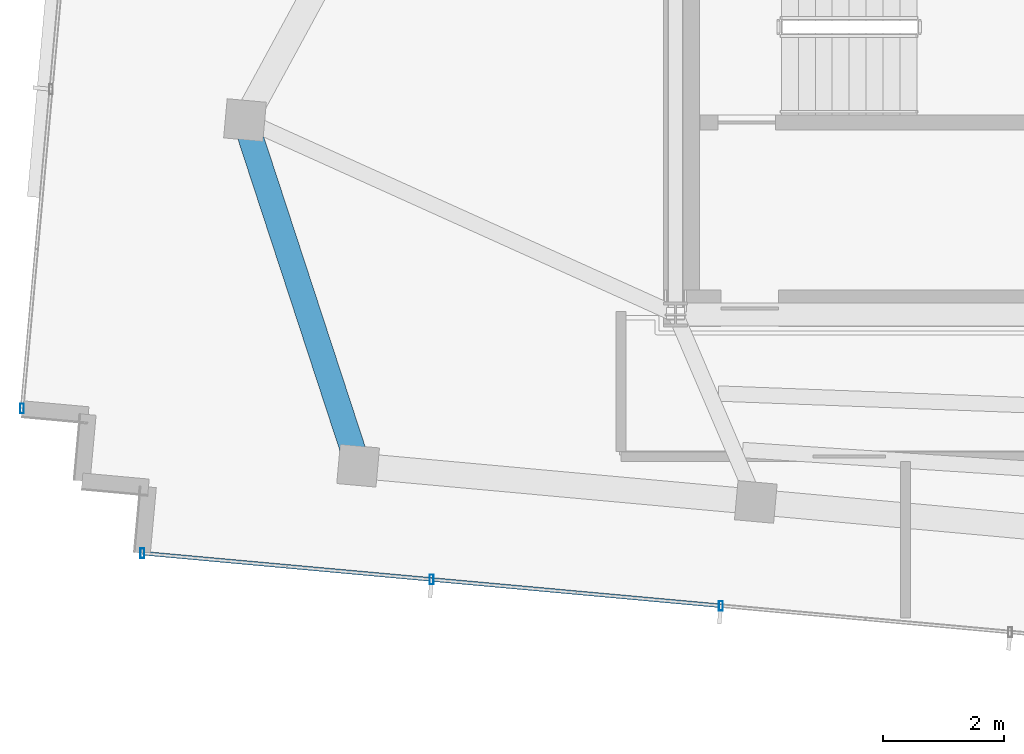
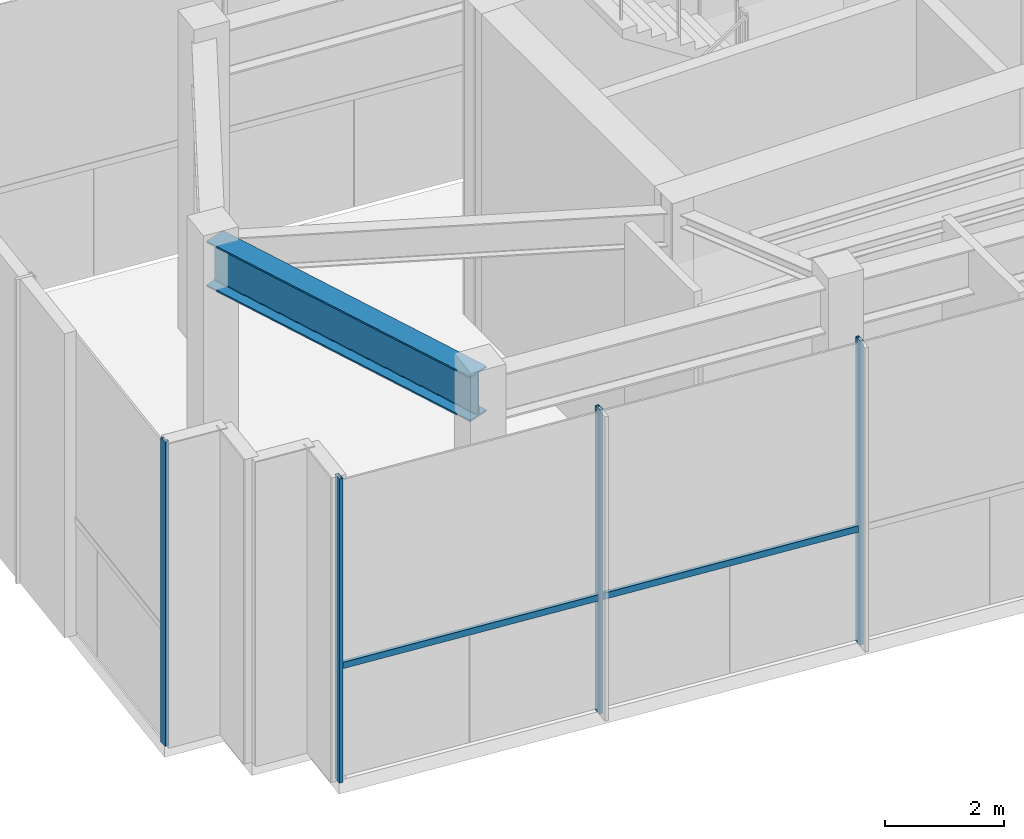
# One storey, part 2 of 19: 6 members, 1 beam, 2 elements without a shape of their own.
"""IFC4 building model written with IfcOpenShell, lengths in metres."""

from ifc_helpers import new_model, si_unit, direction, frame, origin, origin_2d, place, context, subcontext, project, spatial, hollow_rectangle, i_section, extrude, source, transform, mapped, material, material_profile, profile_set, type_object, type_shapes, element, aggregate, save


model = new_model("IFC4")

# Units and contexts
model_context = context("Model", 3, precision=1e-05, world=origin(), true_north=direction((0.0, 1.0)))
body_context = subcontext(model_context, "Body", "Model", "MODEL_VIEW")
ifc_project = project(units=[si_unit("LENGTHUNIT", "METRE"), si_unit("AREAUNIT", "SQUARE_METRE"), si_unit("VOLUMEUNIT", "CUBIC_METRE"), si_unit("PLANEANGLEUNIT", "RADIAN"), si_unit("MASSUNIT", "GRAM", prefix="KILO")], contexts=[model_context])

# Site, building, storey
site_placement = place(None, origin())
site = spatial("IfcSite", under=ifc_project, at=site_placement, CompositionType="ELEMENT")
building_placement = place(site_placement, origin())
building = spatial("IfcBuilding", under=site, at=building_placement, Name="Astriad Promenade Condominiums", CompositionType="ELEMENT")
storey_placement = place(building_placement, frame((0.0, 0.0, 283.800048828125)))
storey = spatial("IfcBuildingStorey", under=building, at=storey_placement, Name="L79", CompositionType="ELEMENT", Elevation=283.800048828125)

# Beam
ifc_material_1 = material(Name="Steel ASTM A992 Grade 50", Category="steel")
ifc_material_profile_1 = material_profile(ifc_material_1, i_section(OverallWidth=0.418212890625, OverallDepth=0.926513671875, WebThickness=0.019287109375, FlangeThickness=0.031982421875, FilletRadius=0.024169921875, at=origin_2d()), Name="W36X231")
ifc_profile_set_1 = profile_set([ifc_material_profile_1], Name="Steel ASTM A992 Grade 50")
beam_type = type_object("IfcBeamType", Name="STEEL CROWN RING BEAM W36X231", PredefinedType="BEAM", material=ifc_profile_set_1)
shared_shape_1 = source(origin(), body_context, "Body", "SweptSolid", [
    extrude(i_section(OverallWidth=0.418212890625, OverallDepth=0.926513671875, WebThickness=0.019287109375, FlangeThickness=0.031982421875, FilletRadius=0.024169921875, at=origin_2d()), origin(), (0.0, 0.0, 1.0), 5.931640625),
])
type_shapes(beam_type, [shared_shape_1])
beam_placement = place(storey_placement, frame((19.29638671875, 20.57421875, 5.756591796875), z_axis=(0.3110863773, -0.950381642215, 0.0), x_axis=(0.950381642215, 0.3110863773, 0.0)))
element("IfcBeam", 1, at=beam_placement, inside=storey, type_object=beam_type, Name="Perimeter Spandrel Beam SP-W1-L79", PredefinedType="BEAM", context=body_context, shape_type="MappedRepresentation", body=[
    mapped(shared_shape_1, transform((0.0, 0.0, 0.0), scale=1.0)),
])

# Curtain wall, member
ifc_material_2 = material(Name="Anodised aluminium Black Dark Glass Unitised", Category="aluminium")
curtain_wall_type = type_object("IfcCurtainWallType", Name="CW-TMD-LANTERN", PredefinedType="USERDEFINED", material=ifc_material_2)
curtain_wall_1_placement = place(storey_placement, origin())
curtain_wall_1 = element("IfcCurtainWall", 2, at=curtain_wall_1_placement, inside=storey, type_object=curtain_wall_type, Name="CW-CRN-L79-03", ObjectType="UNITISED_CURTAIN_WALL", PredefinedType="USERDEFINED")
ifc_material_3 = material(Name="Anodised aluminium 6063-T6 Black", Category="aluminium")
ifc_material_profile_2 = material_profile(ifc_material_3, hollow_rectangle(XDim=0.06494140625, YDim=0.159912109375, WallThickness=0.00390625, at=origin_2d()), Name="ALU-MUL-65X160")
ifc_profile_set_2 = profile_set([ifc_material_profile_2], Name="Anodised aluminium 6063-T6 Black")
member_type_1 = type_object("IfcMemberType", Name="MUL-ALU-MUL-65X160", PredefinedType="MULLION", material=ifc_profile_set_2)
shared_shape_2 = source(origin(), body_context, "Body", "SweptSolid", [
    extrude(hollow_rectangle(XDim=0.06494140625, YDim=0.159912109375, WallThickness=0.00390625, at=origin_2d()), origin(), (0.0, 0.0, 1.0), 6.219970703125),
])
type_shapes(member_type_1, [shared_shape_2])
member_1_placement = place(storey_placement, frame((15.597900390625, 15.84375, 0.0), z_axis=(0.0, 0.0, 1.0), x_axis=(1.0, 0.0, 0.0)))
member_1 = element("IfcMember", 3, at=member_1_placement, type_object=member_type_1, Name="CW-CRN-L79-03-MUL-00", PredefinedType="MULLION", context=body_context, shape_type="MappedRepresentation", body=[
    mapped(shared_shape_2, transform((0.0, 0.0, 0.0), scale=1.0)),
])
aggregate(curtain_wall_1, [member_1])

# Curtain wall, members
curtain_wall_2_placement = place(storey_placement, origin())
curtain_wall_2 = element("IfcCurtainWall", 4, at=curtain_wall_2_placement, inside=storey, type_object=curtain_wall_type, Name="CW-CRN-L79-18", ObjectType="UNITISED_CURTAIN_WALL", PredefinedType="USERDEFINED")
member_2_placement = place(storey_placement, frame((27.14990234375, 12.58349609375, 0.0), z_axis=(0.0, 0.0, 1.0), x_axis=(1.0, 0.0, 0.0)))
member_2 = element("IfcMember", 5, at=member_2_placement, type_object=member_type_1, Name="CW-CRN-L79-18-MUL-05", PredefinedType="MULLION", context=body_context, shape_type="MappedRepresentation", body=[
    mapped(shared_shape_2, transform((0.0, 0.0, 0.0), scale=1.0)),
])
member_3_placement = place(storey_placement, frame((22.36962890625, 13.0185546875, 0.0), z_axis=(0.0, 0.0, 1.0), x_axis=(1.0, 0.0, 0.0)))
member_3 = element("IfcMember", 6, at=member_3_placement, type_object=member_type_1, Name="CW-CRN-L79-18-MUL-06", PredefinedType="MULLION", context=body_context, shape_type="MappedRepresentation", body=[
    mapped(shared_shape_2, transform((0.0, 0.0, 0.0), scale=1.0)),
])
member_4_placement = place(storey_placement, frame((17.58935546875, 13.45361328125, 0.0), z_axis=(0.0, 0.0, 1.0), x_axis=(1.0, 0.0, 0.0)))
member_4 = element("IfcMember", 7, at=member_4_placement, type_object=member_type_1, Name="CW-CRN-L79-18-MUL-07", PredefinedType="MULLION", context=body_context, shape_type="MappedRepresentation", body=[
    mapped(shared_shape_2, transform((0.0, 0.0, 0.0), scale=1.0)),
])
ifc_material_profile_3 = material_profile(ifc_material_3, hollow_rectangle(XDim=0.06494140625, YDim=0.1298828125, WallThickness=0.00390625, at=origin_2d()), Name="ALU-TRN-65X130")
ifc_profile_set_3 = profile_set([ifc_material_profile_3], Name="Anodised aluminium 6063-T6 Black")
member_type_2 = type_object("IfcMemberType", Name="TRN-ALU-TRN-65X130", PredefinedType="USERDEFINED", material=ifc_profile_set_3)
shared_shape_3 = source(origin(), body_context, "Body", "SweptSolid", [
    extrude(hollow_rectangle(XDim=0.06494140625, YDim=0.1298828125, WallThickness=0.00390625, at=origin_2d()), origin(), (0.0, 0.0, 1.0), 4.800048828125),
])
type_shapes(member_type_2, [shared_shape_3])
member_5_placement = place(storey_placement, frame((27.14990234375, 12.58349609375, 2.349853515625), z_axis=(-0.995884029465, 0.09063663639, 0.0), x_axis=(-0.09063663639, -0.995884029465, 0.0)))
member_5 = element("IfcMember", 8, at=member_5_placement, type_object=member_type_2, Name="CW-CRN-L79-18-TRN-05-0", ObjectType="TRANSOM", PredefinedType="USERDEFINED", context=body_context, shape_type="MappedRepresentation", body=[
    mapped(shared_shape_3, transform((0.0, 0.0, 0.0), scale=1.0)),
])
member_6_placement = place(storey_placement, frame((22.36962890625, 13.0185546875, 2.349853515625), z_axis=(-0.995884029465, 0.09063663639, 0.0), x_axis=(-0.09063663639, -0.995884029465, 0.0)))
member_6 = element("IfcMember", 9, at=member_6_placement, type_object=member_type_2, Name="CW-CRN-L79-18-TRN-06-0", ObjectType="TRANSOM", PredefinedType="USERDEFINED", context=body_context, shape_type="MappedRepresentation", body=[
    mapped(shared_shape_3, transform((0.0, 0.0, 0.0), scale=1.0)),
])
aggregate(curtain_wall_2, [member_2, member_3, member_4, member_5, member_6])

save(model, "model.ifc")
